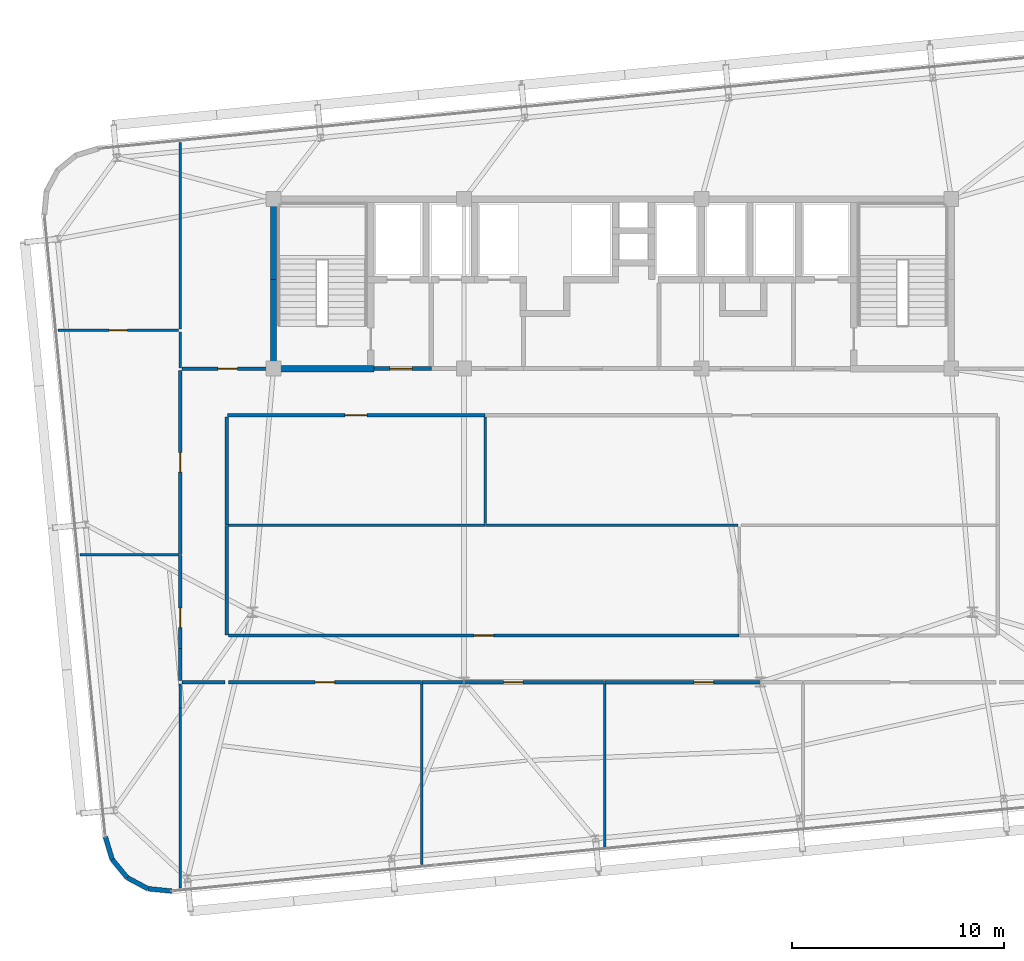
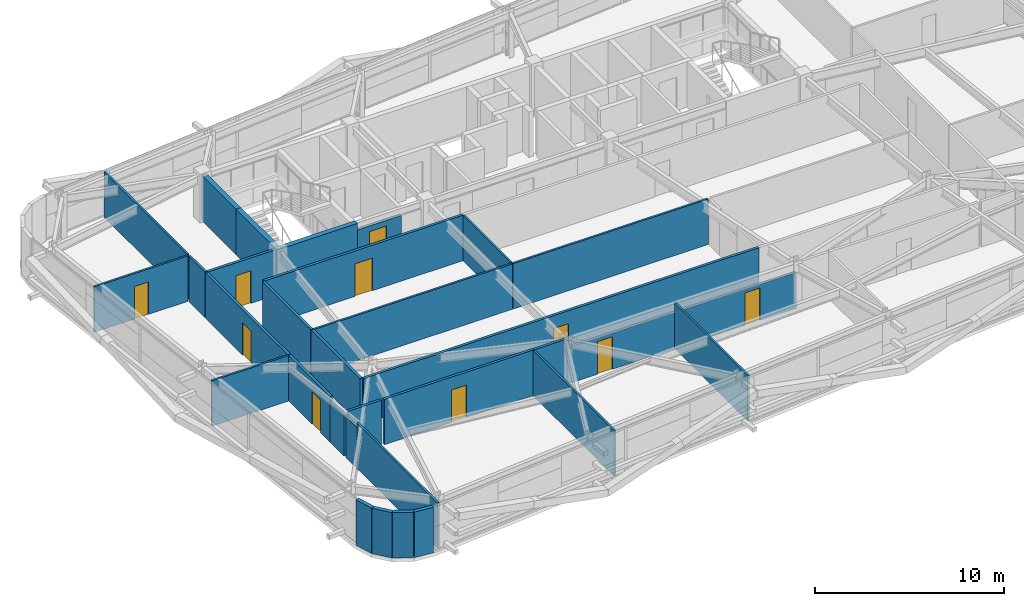
# One storey, part 41 of 47: 32 walls, 10 doors, 10 openings.
"""IFC4 building model written with IfcOpenShell, lengths in metres."""

from ifc_helpers import new_model, si_unit, direction, frame, frame_2d, origin, place, context, subcontext, project, spatial, rectangle, extrude, source, transform, mapped, material, layer, layer_set, type_object, element, fill, save


model = new_model("IFC4")

# Units and contexts
model_context = context("Model", 3, precision=1e-05, world=origin(), true_north=direction((0.0, 1.0)))
body_context = subcontext(model_context, "Body", "Model", "MODEL_VIEW")
ifc_project = project(units=[si_unit("LENGTHUNIT", "METRE"), si_unit("AREAUNIT", "SQUARE_METRE"), si_unit("VOLUMEUNIT", "CUBIC_METRE"), si_unit("PLANEANGLEUNIT", "RADIAN"), si_unit("MASSUNIT", "GRAM", prefix="KILO")], contexts=[model_context])

# Site, building, storey
site_placement = place(None, origin())
site = spatial("IfcSite", under=ifc_project, at=site_placement, CompositionType="ELEMENT")
building_placement = place(site_placement, origin())
building = spatial("IfcBuilding", under=site, at=building_placement, Name="Taldren Reach Tower", CompositionType="ELEMENT")
storey_placement = place(building_placement, frame((0.0, 0.0, 90.300048828125)))
storey = spatial("IfcBuildingStorey", under=building, at=storey_placement, Name="L27", CompositionType="ELEMENT", Elevation=90.300048828125)

# Walls
ifc_material_1 = material(Name="Pale Champagne Anodised Aluminium Cladding", Category="aluminium")
ifc_layer_1 = layer(ifc_material_1, 0.04, Name="Pale Champagne Anodised Aluminium Cladding", Category="aluminium")
ifc_material_2 = material(Name="Mineral Wool Acoustic Insulation", Category="insulation")
ifc_layer_2 = layer(ifc_material_2, 0.06, Name="Mineral Wool Acoustic Insulation", Category="insulation")
ifc_material_3 = material(Name="Steel Gr 350 (C350L0)", Category="steel")
ifc_layer_3 = layer(ifc_material_3, 0.12, Name="Steel Gr 350 (C350L0)", Category="steel")
ifc_layer_set_1 = layer_set([ifc_layer_1, ifc_layer_2, ifc_layer_3], Name="Pale Champagne Aluminium Cladding and Steel Gr 350 Stud Framing")
wall_type_1 = type_object("IfcWallType", Name="EW-CRN-220", PredefinedType="SOLIDWALL", material=ifc_layer_set_1)
shared_shape_1 = source(origin(), body_context, "Body", "SweptSolid", [
    extrude(rectangle(XDim=1.115966796875, YDim=0.219970703125, at=frame_2d((0.55810546875, 0.0))), origin(), (0.0, 0.0, 1.0), 2.929931640625),
])
for number, where, z_axis, x_axis, name in (
    (1, (11.062255859375, 1.90185546875, 0.0), (0.0, 0.0, 1.0), (0.289855603468, -0.957070388811, 0.0), "Rounded-corner pale-metal facade wall L27-SW1"),
    (2, (11.3857421875, 0.833740234375, 0.0), (0.0, 0.0, 1.0), (0.633988016432, -0.773342870285, 0.0), "Rounded-corner pale-metal facade wall L27-SW2"),
    (3, (13.0771484375, -0.5556640625, 0.0), (0.0, 0.0, 1.0), (0.995142755671, -0.09844234778, 0.0), "Rounded-corner pale-metal facade wall L27-SW4"),
):
    element("IfcWall", number, at=place(storey_placement, frame(where, z_axis=z_axis, x_axis=x_axis)), inside=storey, type_object=wall_type_1, Name=name, PredefinedType="SOLIDWALL", context=body_context, shape_type="MappedRepresentation", body=[
        mapped(shared_shape_1, transform((0.0, 0.0, 0.0), scale=1.0)),
    ])
shared_shape_2 = source(origin(), body_context, "Body", "SweptSolid", [
    extrude(rectangle(XDim=1.11572265625, YDim=0.219970703125, at=frame_2d((0.557861328125, 0.0))), origin(), (0.0, 0.0, 1.0), 2.929931640625),
])
wall_1_placement = place(storey_placement, frame((12.09326171875, -0.029296875, 0.0), z_axis=(0.0, 0.0, 1.0), x_axis=(0.881746547635, -0.471723463201, 0.0)))
element("IfcWall", 4, at=wall_1_placement, inside=storey, type_object=wall_type_1, Name="Rounded-corner pale-metal facade wall L27-SW3", PredefinedType="SOLIDWALL", context=body_context, shape_type="MappedRepresentation", body=[
    mapped(shared_shape_2, transform((0.0, 0.0, 0.0), scale=1.0)),
])
ifc_material_4 = material(Name="Fire-Rated Acoustic Plasterboard Stud Wall", Category="gypsum")
ifc_layer_4 = layer(ifc_material_4, 0.159912109375)
ifc_layer_set_2 = layer_set([ifc_layer_4], Name="Fire-Rated Acoustic Plasterboard Stud Wall")
wall_type_2 = type_object("IfcWallType", Name="IW-FIRE-160", PredefinedType="PARTITIONING", material=ifc_layer_set_2)
shared_shape_3 = source(origin(), body_context, "Body", "SweptSolid", [
    extrude(rectangle(XDim=2.0400390625, YDim=0.159912109375, at=frame_2d((1.02001953125, 0.0))), origin(), (0.0, 0.0, 1.0), 2.929931640625),
])
wall_2_placement = place(storey_placement, frame((16.719970703125, 9.199951171875, 0.0), z_axis=(0.0, 0.0, 1.0), x_axis=(-1.0, 0.0, 0.0)))
element("IfcWall", 5, at=wall_2_placement, inside=storey, type_object=wall_type_2, Name="Interior Partition Wall W-INT-L27-051", PredefinedType="PARTITIONING", context=body_context, shape_type="MappedRepresentation", body=[
    mapped(shared_shape_3, transform((0.0, 0.0, 0.0), scale=1.0)),
])
shared_shape_4 = source(origin(), body_context, "Body", "SweptSolid", [
    extrude(rectangle(XDim=5.15966796875, YDim=0.159912109375, at=frame_2d((2.579833984375, 0.0))), origin(), (0.0, 0.0, 1.0), 2.929931640625),
])
wall_3_placement = place(storey_placement, frame((16.800048828125, 16.579833984375, 0.0), z_axis=(0.0, 0.0, 1.0), x_axis=(0.0, -1.0, 0.0)))
element("IfcWall", 6, at=wall_3_placement, inside=storey, type_object=wall_type_2, Name="Interior Partition Wall W-INT-L27-045", PredefinedType="PARTITIONING", context=body_context, shape_type="MappedRepresentation", body=[
    mapped(shared_shape_4, transform((0.0, 0.0, 0.0), scale=1.0)),
])
shared_shape_5 = source(origin(), body_context, "Body", "SweptSolid", [
    extrude(rectangle(XDim=5.099853515625, YDim=0.159912109375, at=frame_2d((2.5498046875, 0.0))), origin(), (0.0, 0.0, 1.0), 2.929931640625),
])
wall_4_placement = place(storey_placement, frame((16.800048828125, 21.719970703125, 0.0), z_axis=(0.0, 0.0, 1.0), x_axis=(0.0, -1.0, 0.0)))
element("IfcWall", 7, at=wall_4_placement, inside=storey, type_object=wall_type_2, Name="Interior Partition Wall W-INT-L27-048", PredefinedType="PARTITIONING", context=body_context, shape_type="MappedRepresentation", body=[
    mapped(shared_shape_5, transform((0.0, 0.0, 0.0), scale=1.0)),
])
ifc_material_5 = material(Name="Insulated Residential Stud Partition", Category="gypsum")
ifc_layer_5 = layer(ifc_material_5, 0.1201171875)
ifc_layer_set_3 = layer_set([ifc_layer_5], Name="Insulated Residential Stud Partition")
wall_type_3 = type_object("IfcWallType", Name="IW-PART-120", PredefinedType="PARTITIONING", material=ifc_layer_set_3)
shared_shape_6 = source(origin(), body_context, "Body", "SweptSolid", [
    extrude(rectangle(XDim=5.0400390625, YDim=0.1201171875, at=frame_2d((2.52001953125, 0.0))), origin(), (0.0, 0.0, 1.0), 2.929931640625),
])
wall_5_placement = place(storey_placement, frame((29.0, 21.719970703125, 0.0), z_axis=(0.0, 0.0, 1.0), x_axis=(0.0, -1.0, 0.0)))
element("IfcWall", 8, at=wall_5_placement, inside=storey, type_object=wall_type_3, Name="Interior Partition Wall W-INT-L27-069", PredefinedType="PARTITIONING", context=body_context, shape_type="MappedRepresentation", body=[
    mapped(shared_shape_6, transform((0.0, 0.0, 0.0), scale=1.0)),
])

# Wall, opening, door
shared_shape_7 = source(origin(), body_context, "Body", "SweptSolid", [
    extrude(rectangle(XDim=12.159423828125, YDim=0.159912109375, at=frame_2d((6.07958984375, 0.0))), origin(), (0.0, 0.0, 1.0), 2.929931640625),
])
wall_6_placement = place(storey_placement, frame((28.979736328125, 21.800048828125, 0.0), z_axis=(0.0, 0.0, 1.0), x_axis=(-1.0, 0.0, 0.0)))
wall_6 = element("IfcWall", 9, at=wall_6_placement, inside=storey, type_object=wall_type_2, Name="Interior Partition Wall W-INT-L27-047", PredefinedType="PARTITIONING", context=body_context, shape_type="MappedRepresentation", body=[
    mapped(shared_shape_7, transform((0.0, 0.0, 0.0), scale=1.0)),
])
shared_shape_8 = source(origin(), body_context, "Body", "SweptSolid", [
    extrude(rectangle(XDim=1.050048828125, YDim=2.10009765625, at=frame_2d((0.52490234375, 1.050048828125))), frame((0.0, 0.08984375, 0.0), z_axis=(0.0, -1.0, 0.0), x_axis=(1.0, 0.0, 0.0)), (0.0, 0.0, 1.0), 0.179931640625),
])
opening_1_placement = place(wall_6_placement, frame((5.5546875, 0.0, 0.0)))
opening_1 = element("IfcOpeningElement", 10, at=opening_1_placement, cuts=wall_6, Name="Opening DF-105", PredefinedType="OPENING", context=body_context, shape_type="MappedRepresentation", body=[
    mapped(shared_shape_8, transform((0.0, 0.0, 0.0), scale=1.0)),
])
ifc_material_6 = material(Name="Fire-Rated Care and Stair Exit Door")
door_type_1 = type_object("IfcDoorType", Name="ID-FIRE-105", OperationType="NOTDEFINED", PredefinedType="DOOR", material=ifc_material_6)
shared_shape_9 = source(origin(), body_context, "Body", "SweptSolid", [
    extrude(rectangle(XDim=1.050048828125, YDim=2.10009765625, at=frame_2d((0.52490234375, 1.050048828125))), frame((0.0, 0.02490234375, 0.0), z_axis=(0.0, -1.0, 0.0), x_axis=(1.0, 0.0, 0.0)), (0.0, 0.0, 1.0), 0.050048828125),
])
door_1_placement = place(opening_1_placement, origin())
door_1 = element("IfcDoor", 11, at=door_1_placement, inside=storey, type_object=door_type_1, Name="Interior Door DR-L27-008", OperationType="SINGLE_SWING_LEFT", OverallHeight=2.10009765625, OverallWidth=1.050048828125, PredefinedType="DOOR", context=body_context, shape_type="MappedRepresentation", body=[
    mapped(shared_shape_9, transform((0.0, 0.0, 0.0), scale=1.0)),
])
fill(opening_1, door_1)

shared_shape_10 = source(origin(), body_context, "Body", "SweptSolid", [
    extrude(rectangle(XDim=24.099853515625, YDim=0.159912109375, at=frame_2d((12.0498046875, 0.0))), origin(), (0.0, 0.0, 1.0), 2.929931640625),
])
wall_7_placement = place(storey_placement, frame((16.8798828125, 11.39990234375, 0.0), z_axis=(0.0, 0.0, 1.0), x_axis=(1.0, 0.0, 0.0)))
wall_7 = element("IfcWall", 12, at=wall_7_placement, inside=storey, type_object=wall_type_2, Name="Interior Partition Wall W-INT-L27-059", PredefinedType="PARTITIONING", context=body_context, shape_type="MappedRepresentation", body=[
    mapped(shared_shape_10, transform((0.0, 0.0, 0.0), scale=1.0)),
])
shared_shape_11 = source(origin(), body_context, "Body", "SweptSolid", [
    extrude(rectangle(XDim=0.919921875, YDim=2.10009765625, at=frame_2d((0.4599609375, 1.050048828125))), frame((0.0, 0.08984375, 0.0), z_axis=(0.0, -1.0, 0.0), x_axis=(1.0, 0.0, 0.0)), (0.0, 0.0, 1.0), 0.179931640625),
])
opening_2_placement = place(wall_7_placement, frame((11.58984375, 0.0, 0.0)))
opening_2 = element("IfcOpeningElement", 13, at=opening_2_placement, cuts=wall_7, Name="Opening DI-092", PredefinedType="OPENING", context=body_context, shape_type="MappedRepresentation", body=[
    mapped(shared_shape_11, transform((0.0, 0.0, 0.0), scale=1.0)),
])
ifc_material_7 = material(Name="Solid-Core Timber Suite Door", Category="wood")
door_type_2 = type_object("IfcDoorType", Name="ID-INT-092", OperationType="NOTDEFINED", PredefinedType="DOOR", material=ifc_material_7)
shared_shape_12 = source(origin(), body_context, "Body", "SweptSolid", [
    extrude(rectangle(XDim=0.919921875, YDim=2.10009765625, at=frame_2d((0.4599609375, 1.050048828125))), frame((0.0, 0.02490234375, 0.0), z_axis=(0.0, -1.0, 0.0), x_axis=(1.0, 0.0, 0.0)), (0.0, 0.0, 1.0), 0.050048828125),
])
door_2_placement = place(opening_2_placement, origin())
door_2 = element("IfcDoor", 14, at=door_2_placement, inside=storey, type_object=door_type_2, Name="Interior Door DR-L27-015", OperationType="SINGLE_SWING_RIGHT", OverallHeight=2.10009765625, OverallWidth=0.919921875, PredefinedType="DOOR", context=body_context, shape_type="MappedRepresentation", body=[
    mapped(shared_shape_12, transform((0.0, 0.0, 0.0), scale=1.0)),
])
fill(opening_2, door_2)

# Walls
shared_shape_13 = source(origin(), body_context, "Body", "SweptSolid", [
    extrude(rectangle(XDim=12.099853515625, YDim=0.1201171875, at=frame_2d((6.0498046875, 0.0))), origin(), (0.0, 0.0, 1.0), 2.929931640625),
])
wall_8_placement = place(storey_placement, frame((16.8798828125, 16.60009765625, 0.0), z_axis=(0.0, 0.0, 1.0), x_axis=(1.0, 0.0, 0.0)))
element("IfcWall", 15, at=wall_8_placement, inside=storey, type_object=wall_type_3, Name="Interior Partition Wall W-INT-L27-066", PredefinedType="PARTITIONING", context=body_context, shape_type="MappedRepresentation", body=[
    mapped(shared_shape_13, transform((0.0, 0.0, 0.0), scale=1.0)),
])
shared_shape_14 = source(origin(), body_context, "Body", "SweptSolid", [
    extrude(rectangle(XDim=11.899658203125, YDim=0.1201171875, at=frame_2d((5.94970703125, 0.0))), origin(), (0.0, 0.0, 1.0), 2.929931640625),
])
wall_9_placement = place(storey_placement, frame((29.020263671875, 16.60009765625, 0.0), z_axis=(0.0, 0.0, 1.0), x_axis=(1.0, 0.0, 0.0)))
element("IfcWall", 16, at=wall_9_placement, inside=storey, type_object=wall_type_3, Name="Interior Partition Wall W-INT-L27-067", PredefinedType="PARTITIONING", context=body_context, shape_type="MappedRepresentation", body=[
    mapped(shared_shape_14, transform((0.0, 0.0, 0.0), scale=1.0)),
])

# Wall, opening, door
shared_shape_15 = source(origin(), body_context, "Body", "SweptSolid", [
    extrude(rectangle(XDim=8.69970703125, YDim=0.159912109375, at=frame_2d((4.349853515625, 0.0))), origin(), (0.0, 0.0, 1.0), 2.929931640625),
])
wall_10_placement = place(storey_placement, frame((14.60009765625, 15.22021484375, 0.0), z_axis=(0.0, 0.0, 1.0), x_axis=(0.0, 1.0, 0.0)))
wall_10 = element("IfcWall", 17, at=wall_10_placement, inside=storey, type_object=wall_type_2, Name="Interior Partition Wall W-INT-L27-054", PredefinedType="PARTITIONING", context=body_context, shape_type="MappedRepresentation", body=[
    mapped(shared_shape_15, transform((0.0, 0.0, 0.0), scale=1.0)),
])
opening_3_placement = place(wall_10_placement, frame((3.889892578125, 0.0, 0.0)))
opening_3 = element("IfcOpeningElement", 18, at=opening_3_placement, cuts=wall_10, Name="Opening DI-092", PredefinedType="OPENING", context=body_context, shape_type="MappedRepresentation", body=[
    mapped(shared_shape_11, transform((0.0, 0.0, 0.0), scale=1.0)),
])
door_3_placement = place(opening_3_placement, origin())
door_3 = element("IfcDoor", 19, at=door_3_placement, inside=storey, type_object=door_type_2, Name="Interior Door DR-L27-011", OperationType="SINGLE_SWING_RIGHT", OverallHeight=2.10009765625, OverallWidth=0.919921875, PredefinedType="DOOR", context=body_context, shape_type="MappedRepresentation", body=[
    mapped(shared_shape_12, transform((0.0, 0.0, 0.0), scale=1.0)),
])
fill(opening_3, door_3)

# Walls
ifc_material_8 = material(Name="Concrete S65 (65 MPa)", Category="concrete")
ifc_layer_6 = layer(ifc_material_8, 0.300048828125)
ifc_layer_set_4 = layer_set([ifc_layer_6], Name="Concrete S65 (65 MPa)")
wall_type_4 = type_object("IfcWallType", Name="IW-CORE-300", PredefinedType="SHEAR", material=ifc_layer_set_4)
shared_shape_16 = source(origin(), body_context, "Body", "SweptSolid", [
    extrude(rectangle(XDim=4.050048828125, YDim=0.300048828125, at=frame_2d((2.02490234375, 0.0))), origin(), (0.0, 0.0, 1.0), 2.929931640625),
])
wall_11_placement = place(storey_placement, frame((19.0, 24.14990234375, 0.0), z_axis=(0.0, 0.0, 1.0), x_axis=(0.0, 1.0, 0.0)))
element("IfcWall", 20, at=wall_11_placement, inside=storey, type_object=wall_type_4, Name="Rear Core Shear Wall W-CORE-L27-WEST1", PredefinedType="SHEAR", context=body_context, shape_type="MappedRepresentation", body=[
    mapped(shared_shape_16, transform((0.0, 0.0, 0.0), scale=1.0)),
])
shared_shape_17 = source(origin(), body_context, "Body", "SweptSolid", [
    extrude(rectangle(XDim=3.650146484375, YDim=0.300048828125, at=frame_2d((1.8251953125, 0.0))), origin(), (0.0, 0.0, 1.0), 2.929931640625),
])
wall_12_placement = place(storey_placement, frame((19.0, 28.199951171875, 0.0), z_axis=(0.0, 0.0, 1.0), x_axis=(0.0, 1.0, 0.0)))
element("IfcWall", 21, at=wall_12_placement, inside=storey, type_object=wall_type_4, Name="Rear Core Shear Wall W-CORE-L27-WEST2", PredefinedType="SHEAR", context=body_context, shape_type="MappedRepresentation", body=[
    mapped(shared_shape_17, transform((0.0, 0.0, 0.0), scale=1.0)),
])
shared_shape_18 = source(origin(), body_context, "Body", "SweptSolid", [
    extrude(rectangle(XDim=4.89990234375, YDim=0.300048828125, at=frame_2d((2.449951171875, 0.0))), origin(), (0.0, 0.0, 1.0), 2.929931640625),
])
wall_13_placement = place(storey_placement, frame((18.85009765625, 24.0, 0.0), z_axis=(0.0, 0.0, 1.0), x_axis=(1.0, 0.0, 0.0)))
element("IfcWall", 22, at=wall_13_placement, inside=storey, type_object=wall_type_4, Name="Rear Core Shear Wall W-INT-L27-003", PredefinedType="SHEAR", context=body_context, shape_type="MappedRepresentation", body=[
    mapped(shared_shape_18, transform((0.0, 0.0, 0.0), scale=1.0)),
])

# Wall, opening, door
ifc_material_9 = material(Name="Concrete S50 (50 MPa)", Category="concrete")
ifc_layer_7 = layer(ifc_material_9, 0.199951171875)
ifc_layer_set_5 = layer_set([ifc_layer_7], Name="Concrete S50 (50 MPa)")
wall_type_5 = type_object("IfcWallType", Name="IW-CORE-200", PredefinedType="SOLIDWALL", material=ifc_layer_set_5)
shared_shape_19 = source(origin(), body_context, "Body", "SweptSolid", [
    extrude(rectangle(XDim=2.699951171875, YDim=0.199951171875, at=frame_2d((1.35009765625, 0.0))), origin(), (0.0, 0.0, 1.0), 2.469970703125),
])
wall_14_placement = place(storey_placement, frame((23.75, 24.0, 0.0), z_axis=(0.0, 0.0, 1.0), x_axis=(1.0, 0.0, 0.0)))
wall_14 = element("IfcWall", 23, at=wall_14_placement, inside=storey, type_object=wall_type_5, Name="Rear Core Shear Wall W-INT-L27-007", PredefinedType="SOLIDWALL", context=body_context, shape_type="MappedRepresentation", body=[
    mapped(shared_shape_19, transform((0.0, 0.0, 0.0), scale=1.0)),
])
shared_shape_20 = source(origin(), body_context, "Body", "SweptSolid", [
    extrude(rectangle(XDim=1.050048828125, YDim=2.10009765625, at=frame_2d((0.52490234375, 1.050048828125))), frame((0.0, 0.10986328125, 0.0), z_axis=(0.0, -1.0, 0.0), x_axis=(1.0, 0.0, 0.0)), (0.0, 0.0, 1.0), 0.219970703125),
])
opening_4_placement = place(wall_14_placement, frame((0.75, 0.0, 0.0)))
opening_4 = element("IfcOpeningElement", 24, at=opening_4_placement, cuts=wall_14, Name="Opening DF-105", PredefinedType="OPENING", context=body_context, shape_type="MappedRepresentation", body=[
    mapped(shared_shape_20, transform((0.0, 0.0, 0.0), scale=1.0)),
])
door_4_placement = place(opening_4_placement, origin())
door_4 = element("IfcDoor", 25, at=door_4_placement, inside=storey, type_object=door_type_1, Name="Interior Door DR-L27-002", OperationType="SINGLE_SWING_LEFT", OverallHeight=2.10009765625, OverallWidth=1.050048828125, PredefinedType="DOOR", context=body_context, shape_type="MappedRepresentation", body=[
    mapped(shared_shape_9, transform((0.0, 0.0, 0.0), scale=1.0)),
])
fill(opening_4, door_4)

shared_shape_21 = source(origin(), body_context, "Body", "SweptSolid", [
    extrude(rectangle(XDim=4.170166015625, YDim=0.159912109375, at=frame_2d((2.0849609375, 0.0))), origin(), (0.0, 0.0, 1.0), 2.929931640625),
])
wall_15_placement = place(storey_placement, frame((14.679931640625, 24.0, 0.0), z_axis=(0.0, 0.0, 1.0), x_axis=(1.0, 0.0, 0.0)))
wall_15 = element("IfcWall", 26, at=wall_15_placement, inside=storey, type_object=wall_type_2, Name="Interior Partition Wall W-INT-L27-057", PredefinedType="PARTITIONING", context=body_context, shape_type="MappedRepresentation", body=[
    mapped(shared_shape_21, transform((0.0, 0.0, 0.0), scale=1.0)),
])
opening_5_placement = place(wall_15_placement, frame((1.68994140625, 0.0, 0.0)))
opening_5 = element("IfcOpeningElement", 27, at=opening_5_placement, cuts=wall_15, Name="Opening DI-092", PredefinedType="OPENING", context=body_context, shape_type="MappedRepresentation", body=[
    mapped(shared_shape_11, transform((0.0, 0.0, 0.0), scale=1.0)),
])
door_5_placement = place(opening_5_placement, origin())
door_5 = element("IfcDoor", 28, at=door_5_placement, inside=storey, type_object=door_type_2, Name="Interior Door DR-L27-014", OperationType="SINGLE_SWING_LEFT", OverallHeight=2.10009765625, OverallWidth=0.919921875, PredefinedType="DOOR", context=body_context, shape_type="MappedRepresentation", body=[
    mapped(shared_shape_12, transform((0.0, 0.0, 0.0), scale=1.0)),
])
fill(opening_5, door_5)

# Walls
shared_shape_22 = source(origin(), body_context, "Body", "SweptSolid", [
    extrude(rectangle(XDim=1.498291015625, YDim=0.159912109375, at=frame_2d((0.7490234375, 0.0))), origin(), (0.0, 0.0, 1.0), 2.623046875),
])
wall_16_placement = place(storey_placement, frame((14.60009765625, 9.280029296875, 0.0), z_axis=(0.0, 0.0, 1.0), x_axis=(0.0, 1.0, 0.0)))
element("IfcWall", 29, at=wall_16_placement, inside=storey, type_object=wall_type_2, Name="Interior Partition Wall W-INT-L27-053", PredefinedType="PARTITIONING", context=body_context, shape_type="MappedRepresentation", body=[
    mapped(shared_shape_22, transform((0.0, 0.0, 0.0), scale=1.0)),
])
shared_shape_23 = source(origin(), body_context, "Body", "SweptSolid", [
    extrude(rectangle(XDim=1.143310546875, YDim=0.1201171875, at=frame_2d((0.57177734375, 0.0))), origin(), (0.0, 0.0, 1.0), 2.623046875),
])
wall_17_placement = place(storey_placement, frame((14.60009765625, 7.974609375, 0.0), z_axis=(0.0, 0.0, 1.0), x_axis=(0.0, 1.0, 0.0)))
element("IfcWall", 30, at=wall_17_placement, inside=storey, type_object=wall_type_3, Name="Interior Partition Wall W-INT-L27-071 part 2", PredefinedType="PARTITIONING", context=body_context, shape_type="MappedRepresentation", body=[
    mapped(shared_shape_23, transform((0.0, 0.0, 0.0), scale=1.0)),
])

# Wall, opening, door
shared_shape_24 = source(origin(), body_context, "Body", "SweptSolid", [
    extrude(rectangle(XDim=4.4013671875, YDim=0.159912109375, at=frame_2d((2.20068359375, 0.0))), origin(), (0.0, 0.0, 1.0), 2.929931640625),
])
wall_18_placement = place(storey_placement, frame((14.60009765625, 10.7783203125, 0.0), z_axis=(0.0, 0.0, 1.0), x_axis=(0.0, 1.0, 0.0)))
wall_18 = element("IfcWall", 31, at=wall_18_placement, inside=storey, type_object=wall_type_2, Name="Interior Partition Wall W-INT-L27-053 part 2", PredefinedType="PARTITIONING", context=body_context, shape_type="MappedRepresentation", body=[
    mapped(shared_shape_24, transform((0.0, 0.0, 0.0), scale=1.0)),
])
opening_6_placement = place(wall_18_placement, frame((0.991455078125, 0.0, 0.0)))
opening_6 = element("IfcOpeningElement", 32, at=opening_6_placement, cuts=wall_18, Name="Opening DI-092", PredefinedType="OPENING", context=body_context, shape_type="MappedRepresentation", body=[
    mapped(shared_shape_11, transform((0.0, 0.0, 0.0), scale=1.0)),
])
door_6_placement = place(opening_6_placement, origin())
door_6 = element("IfcDoor", 33, at=door_6_placement, inside=storey, type_object=door_type_2, Name="Interior Door DR-L27-010", OperationType="SINGLE_SWING_LEFT", OverallHeight=2.10009765625, OverallWidth=0.919921875, PredefinedType="DOOR", context=body_context, shape_type="MappedRepresentation", body=[
    mapped(shared_shape_12, transform((0.0, 0.0, 0.0), scale=1.0)),
])
fill(opening_6, door_6)

shared_shape_25 = source(origin(), body_context, "Body", "SweptSolid", [
    extrude(rectangle(XDim=9.099853515625, YDim=0.159912109375, at=frame_2d((4.5498046875, 0.0))), origin(), (0.0, 0.0, 1.0), 2.929931640625),
])
wall_19_placement = place(storey_placement, frame((25.979736328125, 9.199951171875, 0.0), z_axis=(0.0, 0.0, 1.0), x_axis=(-1.0, 0.0, 0.0)))
wall_19 = element("IfcWall", 34, at=wall_19_placement, inside=storey, type_object=wall_type_2, Name="Interior Partition Wall W-INT-L27-061", PredefinedType="PARTITIONING", context=body_context, shape_type="MappedRepresentation", body=[
    mapped(shared_shape_25, transform((0.0, 0.0, 0.0), scale=1.0)),
])
opening_7_placement = place(wall_19_placement, frame((4.08984375, 0.0, 0.0)))
opening_7 = element("IfcOpeningElement", 35, at=opening_7_placement, cuts=wall_19, Name="Opening DI-092", PredefinedType="OPENING", context=body_context, shape_type="MappedRepresentation", body=[
    mapped(shared_shape_11, transform((0.0, 0.0, 0.0), scale=1.0)),
])
door_7_placement = place(opening_7_placement, origin())
door_7 = element("IfcDoor", 36, at=door_7_placement, inside=storey, type_object=door_type_2, Name="Interior Door DR-L27-017", OperationType="SINGLE_SWING_RIGHT", OverallHeight=2.10009765625, OverallWidth=0.919921875, PredefinedType="DOOR", context=body_context, shape_type="MappedRepresentation", body=[
    mapped(shared_shape_12, transform((0.0, 0.0, 0.0), scale=1.0)),
])
fill(opening_7, door_7)

shared_shape_26 = source(origin(), body_context, "Body", "SweptSolid", [
    extrude(rectangle(XDim=6.619873046875, YDim=0.159912109375, at=frame_2d((3.31005859375, 0.0))), origin(), (0.0, 0.0, 1.0), 2.327880859375),
])
wall_20_placement = place(storey_placement, frame((34.619873046875, 9.199951171875, 0.0), z_axis=(0.0, 0.0, 1.0), x_axis=(-1.0, 0.0, 0.0)))
wall_20 = element("IfcWall", 37, at=wall_20_placement, inside=storey, type_object=wall_type_2, Name="Interior Partition Wall W-INT-L27-062", PredefinedType="PARTITIONING", context=body_context, shape_type="MappedRepresentation", body=[
    mapped(shared_shape_26, transform((0.0, 0.0, 0.0), scale=1.0)),
])
opening_8_placement = place(wall_20_placement, frame((3.839599609375, 0.0, 0.0)))
opening_8 = element("IfcOpeningElement", 38, at=opening_8_placement, cuts=wall_20, Name="Opening DI-092", PredefinedType="OPENING", context=body_context, shape_type="MappedRepresentation", body=[
    mapped(shared_shape_11, transform((0.0, 0.0, 0.0), scale=1.0)),
])
door_8_placement = place(opening_8_placement, origin())
door_8 = element("IfcDoor", 39, at=door_8_placement, inside=storey, type_object=door_type_2, Name="Interior Door DR-L27-018", OperationType="SINGLE_SWING_LEFT", OverallHeight=2.10009765625, OverallWidth=0.919921875, PredefinedType="DOOR", context=body_context, shape_type="MappedRepresentation", body=[
    mapped(shared_shape_12, transform((0.0, 0.0, 0.0), scale=1.0)),
])
fill(opening_8, door_8)

# Wall
shared_shape_27 = source(origin(), body_context, "Body", "SweptSolid", [
    extrude(rectangle(XDim=1.9794921875, YDim=0.159912109375, at=frame_2d((0.98974609375, 0.0))), origin(), (0.0, 0.0, 1.0), 2.929931640625),
])
wall_21_placement = place(storey_placement, frame((28.0, 9.199951171875, 0.0), z_axis=(0.0, 0.0, 1.0), x_axis=(-1.0, 0.0, 0.0)))
element("IfcWall", 40, at=wall_21_placement, inside=storey, type_object=wall_type_2, Name="Interior Partition Wall W-INT-L27-062 part 2", PredefinedType="PARTITIONING", context=body_context, shape_type="MappedRepresentation", body=[
    mapped(shared_shape_27, transform((0.0, 0.0, 0.0), scale=1.0)),
])

# Wall, opening, door
shared_shape_28 = source(origin(), body_context, "Body", "SweptSolid", [
    extrude(rectangle(XDim=7.33984375, YDim=0.159912109375, at=frame_2d((3.669921875, 0.0))), origin(), (0.0, 0.0, 1.0), 2.327880859375),
])
wall_22_placement = place(storey_placement, frame((42.0, 9.199951171875, 0.0), z_axis=(0.0, 0.0, 1.0), x_axis=(-1.0, 0.0, 0.0)))
wall_22 = element("IfcWall", 41, at=wall_22_placement, inside=storey, type_object=wall_type_2, Name="Interior Partition Wall W-INT-L27-063 part 2", PredefinedType="PARTITIONING", context=body_context, shape_type="MappedRepresentation", body=[
    mapped(shared_shape_28, transform((0.0, 0.0, 0.0), scale=1.0)),
])
opening_9_placement = place(wall_22_placement, frame((2.22021484375, 0.0, 0.0)))
opening_9 = element("IfcOpeningElement", 42, at=opening_9_placement, cuts=wall_22, Name="Opening DI-092", PredefinedType="OPENING", context=body_context, shape_type="MappedRepresentation", body=[
    mapped(shared_shape_11, transform((0.0, 0.0, 0.0), scale=1.0)),
])
door_9_placement = place(opening_9_placement, origin())
door_9 = element("IfcDoor", 43, at=door_9_placement, inside=storey, type_object=door_type_2, Name="Interior Door DR-L27-019", OperationType="SINGLE_SWING_RIGHT", OverallHeight=2.10009765625, OverallWidth=0.919921875, PredefinedType="DOOR", context=body_context, shape_type="MappedRepresentation", body=[
    mapped(shared_shape_12, transform((0.0, 0.0, 0.0), scale=1.0)),
])
fill(opening_9, door_9)

# Walls
shared_shape_29 = source(origin(), body_context, "Body", "SweptSolid", [
    extrude(rectangle(XDim=8.540771484375, YDim=0.1201171875, at=frame_2d((4.2705078125, 0.0))), origin(), (0.0, 0.0, 1.0), 2.929931640625),
])
wall_23_placement = place(storey_placement, frame((26.0, 9.117919921875, 0.0), z_axis=(0.0, 0.0, 1.0), x_axis=(0.0, -1.0, 0.0)))
element("IfcWall", 44, at=wall_23_placement, inside=storey, type_object=wall_type_3, Name="Interior Partition Wall W-INT-L27-070", PredefinedType="PARTITIONING", context=body_context, shape_type="MappedRepresentation", body=[
    mapped(shared_shape_29, transform((0.0, 0.0, 0.0), scale=1.0)),
])
shared_shape_30 = source(origin(), body_context, "Body", "SweptSolid", [
    extrude(rectangle(XDim=8.49951171875, YDim=0.1201171875, at=frame_2d((4.249755859375, 0.0))), origin(), (0.0, 0.0, 1.0), 2.929931640625),
])
wall_24_placement = place(storey_placement, frame((14.60009765625, -0.52490234375, 0.0), z_axis=(0.0, 0.0, 1.0), x_axis=(0.0, 1.0, 0.0)))
element("IfcWall", 45, at=wall_24_placement, inside=storey, type_object=wall_type_3, Name="Interior Partition Wall W-INT-L27-071", PredefinedType="PARTITIONING", context=body_context, shape_type="MappedRepresentation", body=[
    mapped(shared_shape_30, transform((0.0, 0.0, 0.0), scale=1.0)),
])
shared_shape_31 = source(origin(), body_context, "Body", "SweptSolid", [
    extrude(rectangle(XDim=7.69775390625, YDim=0.1201171875, at=frame_2d((3.848876953125, 0.0))), origin(), (0.0, 0.0, 1.0), 2.929931640625),
])
wall_25_placement = place(storey_placement, frame((34.639892578125, 9.1201171875, 0.0), z_axis=(0.0, 0.0, 1.0), x_axis=(0.0, -1.0, 0.0)))
element("IfcWall", 46, at=wall_25_placement, inside=storey, type_object=wall_type_3, Name="Interior Partition Wall W-INT-L27-072", PredefinedType="PARTITIONING", context=body_context, shape_type="MappedRepresentation", body=[
    mapped(shared_shape_31, transform((0.0, 0.0, 0.0), scale=1.0)),
])
shared_shape_32 = source(origin(), body_context, "Body", "SweptSolid", [
    extrude(rectangle(XDim=4.663330078125, YDim=0.1201171875, at=frame_2d((2.33154296875, 0.0))), origin(), (0.0, 0.0, 1.0), 2.929931640625),
])
wall_26_placement = place(storey_placement, frame((9.856689453125, 15.199951171875, 0.0), z_axis=(0.0, 0.0, 1.0), x_axis=(1.0, 0.0, 0.0)))
element("IfcWall", 47, at=wall_26_placement, inside=storey, type_object=wall_type_3, Name="Interior Partition Wall W-INT-L27-075", PredefinedType="PARTITIONING", context=body_context, shape_type="MappedRepresentation", body=[
    mapped(shared_shape_32, transform((0.0, 0.0, 0.0), scale=1.0)),
])

# Wall, opening, door
shared_shape_33 = source(origin(), body_context, "Body", "SweptSolid", [
    extrude(rectangle(XDim=5.70263671875, YDim=0.1201171875, at=frame_2d((2.851318359375, 0.0))), origin(), (0.0, 0.0, 1.0), 2.929931640625),
])
wall_27_placement = place(storey_placement, frame((8.8173828125, 25.800048828125, 0.0), z_axis=(0.0, 0.0, 1.0), x_axis=(1.0, 0.0, 0.0)))
wall_27 = element("IfcWall", 48, at=wall_27_placement, inside=storey, type_object=wall_type_3, Name="Interior Partition Wall W-INT-L27-076", PredefinedType="PARTITIONING", context=body_context, shape_type="MappedRepresentation", body=[
    mapped(shared_shape_33, transform((0.0, 0.0, 0.0), scale=1.0)),
])
shared_shape_34 = source(origin(), body_context, "Body", "SweptSolid", [
    extrude(rectangle(XDim=0.860107421875, YDim=2.10009765625, at=frame_2d((0.43017578125, 1.050048828125))), frame((0.0, 0.070068359375, 0.0), z_axis=(0.0, -1.0, 0.0), x_axis=(1.0, 0.0, 0.0)), (0.0, 0.0, 1.0), 0.14013671875),
])
opening_10_placement = place(wall_27_placement, frame((2.42138671875, 0.0, 0.0)))
opening_10 = element("IfcOpeningElement", 49, at=opening_10_placement, cuts=wall_27, Name="Opening DI-086", PredefinedType="OPENING", context=body_context, shape_type="MappedRepresentation", body=[
    mapped(shared_shape_34, transform((0.0, 0.0, 0.0), scale=1.0)),
])
ifc_material_10 = material(Name="Timber Bathroom Door", Category="wood")
door_type_3 = type_object("IfcDoorType", Name="ID-INT-086", OperationType="NOTDEFINED", PredefinedType="DOOR", material=ifc_material_10)
shared_shape_35 = source(origin(), body_context, "Body", "SweptSolid", [
    extrude(rectangle(XDim=0.860107421875, YDim=2.10009765625, at=frame_2d((0.43017578125, 1.050048828125))), frame((0.0, 0.02490234375, 0.0), z_axis=(0.0, -1.0, 0.0), x_axis=(1.0, 0.0, 0.0)), (0.0, 0.0, 1.0), 0.050048828125),
])
door_10_placement = place(opening_10_placement, origin())
door_10 = element("IfcDoor", 50, at=door_10_placement, inside=storey, type_object=door_type_3, Name="Interior Door DR-L27-021", OperationType="SINGLE_SWING_RIGHT", OverallHeight=2.10009765625, OverallWidth=0.860107421875, PredefinedType="DOOR", context=body_context, shape_type="MappedRepresentation", body=[
    mapped(shared_shape_35, transform((0.0, 0.0, 0.0), scale=1.0)),
])
fill(opening_10, door_10)

# Walls
shared_shape_36 = source(origin(), body_context, "Body", "SweptSolid", [
    extrude(rectangle(XDim=1.69970703125, YDim=0.1201171875, at=frame_2d((0.849853515625, 0.0))), origin(), (0.0, 0.0, 1.0), 2.929931640625),
])
wall_28_placement = place(storey_placement, frame((14.60009765625, 25.719970703125, 0.0), z_axis=(0.0, 0.0, 1.0), x_axis=(0.0, -1.0, 0.0)))
element("IfcWall", 51, at=wall_28_placement, inside=storey, type_object=wall_type_3, Name="Interior Partition Wall W-INT-L27-077", PredefinedType="PARTITIONING", context=body_context, shape_type="MappedRepresentation", body=[
    mapped(shared_shape_36, transform((0.0, 0.0, 0.0), scale=1.0)),
])
shared_shape_37 = source(origin(), body_context, "Body", "SweptSolid", [
    extrude(rectangle(XDim=8.78564453125, YDim=0.1201171875, at=frame_2d((4.392822265625, 0.0))), origin(), (0.0, 0.0, 1.0), 2.929931640625),
])
wall_29_placement = place(storey_placement, frame((14.60009765625, 34.66552734375, 0.0), z_axis=(0.0, 0.0, 1.0), x_axis=(0.0, -1.0, 0.0)))
element("IfcWall", 52, at=wall_29_placement, inside=storey, type_object=wall_type_3, Name="Interior Partition Wall W-INT-L27-078", PredefinedType="PARTITIONING", context=body_context, shape_type="MappedRepresentation", body=[
    mapped(shared_shape_37, transform((0.0, 0.0, 0.0), scale=1.0)),
])

save(model, "model.ifc")
